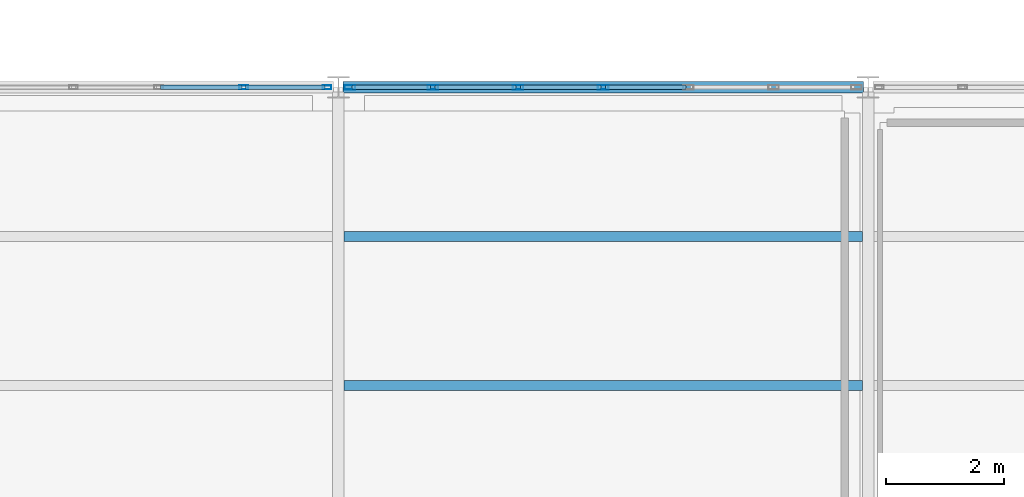
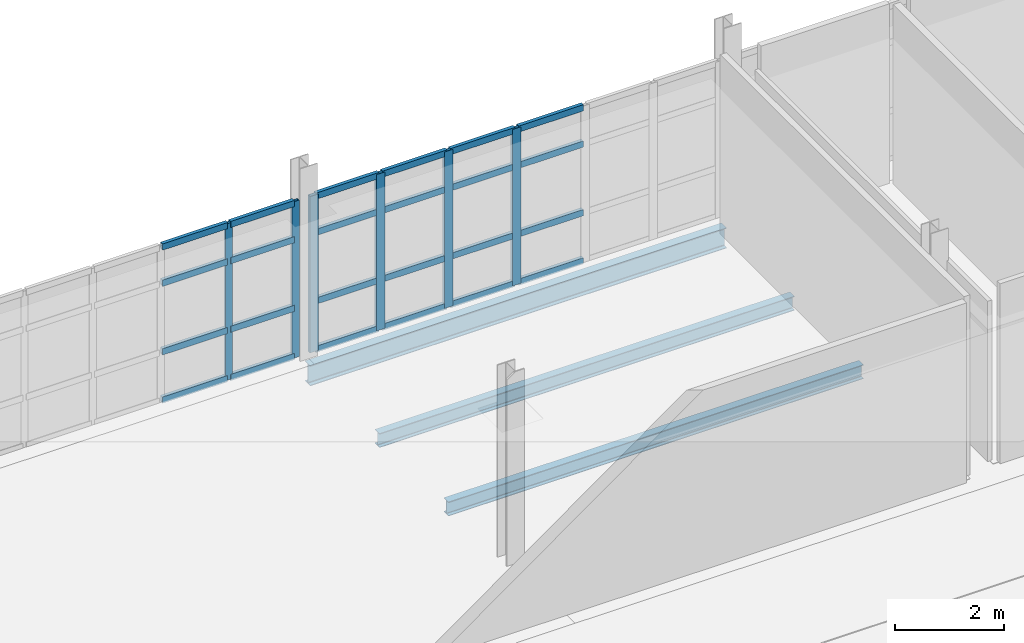
# One storey, part 56 of 174: 30 members, 3 beams, 2 elements without a shape of their own.
"""IFC4 building model written with IfcOpenShell, lengths in metres."""

from ifc_helpers import new_model, si_unit, direction, frame, origin, origin_2d, place, context, subcontext, project, spatial, hollow_rectangle, i_section, extrude, material, material_profile, profile_set, type_object, element, aggregate, save


model = new_model("IFC4")

# Units and contexts
model_context = context("Model", 3, precision=1e-05, world=origin(), true_north=direction((0.0, 1.0)))
body_context = subcontext(model_context, "Body", "Model", "MODEL_VIEW")
ifc_project = project(units=[si_unit("LENGTHUNIT", "METRE"), si_unit("AREAUNIT", "SQUARE_METRE"), si_unit("VOLUMEUNIT", "CUBIC_METRE"), si_unit("PLANEANGLEUNIT", "RADIAN"), si_unit("MASSUNIT", "GRAM", prefix="KILO")], contexts=[model_context])

# Site, building, storey
site_placement = place(None, origin())
site = spatial("IfcSite", under=ifc_project, at=site_placement, CompositionType="ELEMENT")
building_placement = place(site_placement, origin())
building = spatial("IfcBuilding", under=site, at=building_placement, Name="Caisbarro Railhouse Central Library", CompositionType="ELEMENT")
storey_placement = place(building_placement, frame((0.0, 0.0, 5.0400390625)))
storey = spatial("IfcBuildingStorey", under=building, at=storey_placement, Name="L01", CompositionType="ELEMENT", Elevation=5.0400390625)

# Beams
ifc_material_1 = material(Name="Steel ASTM A572 Grade 50", Category="steel")
ifc_material_profile_1 = material_profile(ifc_material_1, i_section(OverallWidth=0.1669921875, OverallDepth=0.31689453125, WebThickness=0.007568359375, FlangeThickness=0.01318359375, FilletRadius=0.011962890625, at=origin_2d()), Name="W310X52.0")
ifc_profile_set_1 = profile_set([ifc_material_profile_1], Name="Steel ASTM A572 Grade 50")
beam_type_1 = type_object("IfcBeamType", Name="BM-J02", PredefinedType="JOIST", material=ifc_profile_set_1)
for number, where, z_axis, x_axis, name in (
    (1, (90.096923828125, 25.333251953125, -0.3984375), (1.0, 0.0, 0.0), (0.0, 1.0, 0.0), "J02 beam L01 #780"),
    (2, (90.096923828125, 27.86669921875, -0.3984375), (1.0, 0.0, 0.0), (0.0, 1.0, 0.0), "J02 beam L01 #781"),
):
    element("IfcBeam", number, at=place(storey_placement, frame(where, z_axis=z_axis, x_axis=x_axis)), inside=storey, type_object=beam_type_1, Name=name, PredefinedType="JOIST", context=body_context, shape_type="SweptSolid", body=[
        extrude(i_section(OverallWidth=0.1669921875, OverallDepth=0.31689453125, WebThickness=0.007568359375, FlangeThickness=0.01318359375, FilletRadius=0.011962890625, at=origin_2d()), origin(), (0.0, 0.0, 1.0), 8.80615234375),
    ])
ifc_material_profile_2 = material_profile(ifc_material_1, i_section(OverallWidth=0.18994140625, OverallDepth=0.45703125, WebThickness=0.009033203125, FlangeThickness=0.014404296875, FilletRadius=0.01806640625, at=origin_2d()), Name="W460X74.0")
ifc_profile_set_2 = profile_set([ifc_material_profile_2], Name="Steel ASTM A572 Grade 50")
beam_type_2 = type_object("IfcBeamType", Name="BM-SP01", PredefinedType="SPANDREL", material=ifc_profile_set_2)
beam_placement = place(storey_placement, frame((90.080078125, 30.39990234375, -0.468505859375), z_axis=(1.0, 0.0, 0.0), x_axis=(0.0, 1.0, 0.0)))
element("IfcBeam", 3, at=beam_placement, inside=storey, type_object=beam_type_2, Name="SP01 beam L01 #720", PredefinedType="SPANDREL", context=body_context, shape_type="SweptSolid", body=[
    extrude(i_section(OverallWidth=0.18994140625, OverallDepth=0.45703125, WebThickness=0.009033203125, FlangeThickness=0.014404296875, FilletRadius=0.01806640625, at=origin_2d()), origin(), (0.0, 0.0, 1.0), 8.83984375),
])

# Curtain wall, members
ifc_material_2 = material(Name="Anodised architectural aluminium", Category="aluminium")
curtain_wall_type = type_object("IfcCurtainWallType", Name="CW-CW02", PredefinedType="NOTDEFINED", material=ifc_material_2)
curtain_wall_1_placement = place(storey_placement, origin())
curtain_wall_1 = element("IfcCurtainWall", 4, at=curtain_wall_1_placement, inside=storey, type_object=curtain_wall_type, Name="CW02 curtain wall L01 #56", PredefinedType="NOTDEFINED")
ifc_material_profile_3 = material_profile(ifc_material_2, hollow_rectangle(XDim=0.074951171875, YDim=0.179931640625, WallThickness=0.00439453125, at=origin_2d()), Name="ALU-MUL-75X180")
ifc_profile_set_3 = profile_set([ifc_material_profile_3], Name="Anodised architectural aluminium")
member_type_1 = type_object("IfcMemberType", Name="CWM-M01", PredefinedType="MULLION", material=ifc_profile_set_3)
member_1_placement = place(storey_placement, frame((90.197509765625, 30.39990234375, 0.0), z_axis=(0.0, 0.0, 1.0), x_axis=(0.0, 1.0, 0.0)))
member_1 = element("IfcMember", 5, at=member_1_placement, type_object=member_type_1, Name="CW02 mullion 1", PredefinedType="MULLION", context=body_context, shape_type="SweptSolid", body=[
    extrude(hollow_rectangle(XDim=0.074951171875, YDim=0.179931640625, WallThickness=0.00439453125, at=origin_2d()), origin(), (0.0, 0.0, 1.0), 3.510009765625),
])
member_2_placement = place(storey_placement, frame((91.606689453125, 30.39990234375, 0.0), z_axis=(0.0, 0.0, 1.0), x_axis=(0.0, 1.0, 0.0)))
member_2 = element("IfcMember", 6, at=member_2_placement, type_object=member_type_1, Name="CW02 mullion 2", PredefinedType="MULLION", context=body_context, shape_type="SweptSolid", body=[
    extrude(hollow_rectangle(XDim=0.074951171875, YDim=0.179931640625, WallThickness=0.00439453125, at=origin_2d()), origin(), (0.0, 0.0, 1.0), 3.510009765625),
])
member_3_placement = place(storey_placement, frame((93.05322265625, 30.39990234375, 0.0), z_axis=(0.0, 0.0, 1.0), x_axis=(0.0, 1.0, 0.0)))
member_3 = element("IfcMember", 7, at=member_3_placement, type_object=member_type_1, Name="CW02 mullion 3", PredefinedType="MULLION", context=body_context, shape_type="SweptSolid", body=[
    extrude(hollow_rectangle(XDim=0.074951171875, YDim=0.179931640625, WallThickness=0.00439453125, at=origin_2d()), origin(), (0.0, 0.0, 1.0), 3.510009765625),
])
member_4_placement = place(storey_placement, frame((94.5, 30.39990234375, 0.0), z_axis=(0.0, 0.0, 1.0), x_axis=(0.0, 1.0, 0.0)))
member_4 = element("IfcMember", 8, at=member_4_placement, type_object=member_type_1, Name="CW02 mullion 4", PredefinedType="MULLION", context=body_context, shape_type="SweptSolid", body=[
    extrude(hollow_rectangle(XDim=0.074951171875, YDim=0.179931640625, WallThickness=0.00439453125, at=origin_2d()), origin(), (0.0, 0.0, 1.0), 3.510009765625),
])

curtain_wall_2_placement = place(storey_placement, origin())
curtain_wall_2 = element("IfcCurtainWall", 9, at=curtain_wall_2_placement, inside=storey, type_object=curtain_wall_type, Name="CW02 curtain wall L01 #55", PredefinedType="NOTDEFINED")
ifc_material_profile_4 = material_profile(ifc_material_2, hollow_rectangle(XDim=0.06494140625, YDim=0.14990234375, WallThickness=0.00390625, at=origin_2d()), Name="ALU-MUL-65X150")
ifc_profile_set_4 = profile_set([ifc_material_profile_4], Name="Anodised architectural aluminium")
member_type_2 = type_object("IfcMemberType", Name="CWM-M02", PredefinedType="MULLION", material=ifc_profile_set_4)
member_5_placement = place(storey_placement, frame((88.393310546875, 30.39990234375, 0.0), z_axis=(0.0, 0.0, 1.0), x_axis=(0.0, 1.0, 0.0)))
member_5 = element("IfcMember", 10, at=member_5_placement, type_object=member_type_2, Name="CW02 mullion 6", PredefinedType="MULLION", context=body_context, shape_type="SweptSolid", body=[
    extrude(hollow_rectangle(XDim=0.06494140625, YDim=0.14990234375, WallThickness=0.00390625, at=origin_2d()), origin(), (0.0, 0.0, 1.0), 3.510009765625),
])
member_6_placement = place(storey_placement, frame((89.8076171875, 30.39990234375, 0.0), z_axis=(0.0, 0.0, 1.0), x_axis=(0.0, 1.0, 0.0)))
member_6 = element("IfcMember", 11, at=member_6_placement, type_object=member_type_2, Name="CW02 mullion 7", PredefinedType="MULLION", context=body_context, shape_type="SweptSolid", body=[
    extrude(hollow_rectangle(XDim=0.06494140625, YDim=0.14990234375, WallThickness=0.00390625, at=origin_2d()), origin(), (0.0, 0.0, 1.0), 3.510009765625),
])
ifc_material_profile_5 = material_profile(ifc_material_2, hollow_rectangle(XDim=0.074951171875, YDim=0.139892578125, WallThickness=0.00390625, at=origin_2d()), Name="ALU-TRN-75X140")
ifc_profile_set_5 = profile_set([ifc_material_profile_5], Name="Anodised architectural aluminium")
member_type_3 = type_object("IfcMemberType", Name="CWT-T01", PredefinedType="USERDEFINED", material=ifc_profile_set_5)
member_7_placement = place(storey_placement, frame((86.979248046875, 30.39990234375, 0.037353515625), z_axis=(1.0, 0.0, 0.0), x_axis=(0.0, 1.0, 0.0)))
member_7 = element("IfcMember", 12, at=member_7_placement, type_object=member_type_3, Name="CW02 transom 5.1", ObjectType="TRANSOM", PredefinedType="USERDEFINED", context=body_context, shape_type="SweptSolid", body=[
    extrude(hollow_rectangle(XDim=0.074951171875, YDim=0.139892578125, WallThickness=0.00390625, at=origin_2d()), origin(), (0.0, 0.0, 1.0), 1.381591796875),
])
member_8_placement = place(storey_placement, frame((86.979248046875, 30.39990234375, 1.119873046875), z_axis=(1.0, 0.0, 0.0), x_axis=(0.0, 1.0, 0.0)))
member_8 = element("IfcMember", 13, at=member_8_placement, type_object=member_type_3, Name="CW02 transom 5.2", ObjectType="TRANSOM", PredefinedType="USERDEFINED", context=body_context, shape_type="SweptSolid", body=[
    extrude(hollow_rectangle(XDim=0.074951171875, YDim=0.139892578125, WallThickness=0.00390625, at=origin_2d()), origin(), (0.0, 0.0, 1.0), 1.381591796875),
])
member_9_placement = place(storey_placement, frame((86.979248046875, 30.39990234375, 2.659912109375), z_axis=(1.0, 0.0, 0.0), x_axis=(0.0, 1.0, 0.0)))
member_9 = element("IfcMember", 14, at=member_9_placement, type_object=member_type_3, Name="CW02 transom 5.3", ObjectType="TRANSOM", PredefinedType="USERDEFINED", context=body_context, shape_type="SweptSolid", body=[
    extrude(hollow_rectangle(XDim=0.074951171875, YDim=0.139892578125, WallThickness=0.00390625, at=origin_2d()), origin(), (0.0, 0.0, 1.0), 1.381591796875),
])
member_10_placement = place(storey_placement, frame((86.979248046875, 30.39990234375, 3.472412109375), z_axis=(1.0, 0.0, 0.0), x_axis=(0.0, 1.0, 0.0)))
member_10 = element("IfcMember", 15, at=member_10_placement, type_object=member_type_3, Name="CW02 transom 5.4", ObjectType="TRANSOM", PredefinedType="USERDEFINED", context=body_context, shape_type="SweptSolid", body=[
    extrude(hollow_rectangle(XDim=0.074951171875, YDim=0.139892578125, WallThickness=0.00390625, at=origin_2d()), origin(), (0.0, 0.0, 1.0), 1.381591796875),
])
member_11_placement = place(storey_placement, frame((88.42578125, 30.39990234375, 0.037353515625), z_axis=(1.0, 0.0, 0.0), x_axis=(0.0, 1.0, 0.0)))
member_11 = element("IfcMember", 16, at=member_11_placement, type_object=member_type_3, Name="CW02 transom 6.1", ObjectType="TRANSOM", PredefinedType="USERDEFINED", context=body_context, shape_type="SweptSolid", body=[
    extrude(hollow_rectangle(XDim=0.074951171875, YDim=0.139892578125, WallThickness=0.00390625, at=origin_2d()), origin(), (0.0, 0.0, 1.0), 1.34912109375),
])
member_12_placement = place(storey_placement, frame((88.42578125, 30.39990234375, 1.119873046875), z_axis=(1.0, 0.0, 0.0), x_axis=(0.0, 1.0, 0.0)))
member_12 = element("IfcMember", 17, at=member_12_placement, type_object=member_type_3, Name="CW02 transom 6.2", ObjectType="TRANSOM", PredefinedType="USERDEFINED", context=body_context, shape_type="SweptSolid", body=[
    extrude(hollow_rectangle(XDim=0.074951171875, YDim=0.139892578125, WallThickness=0.00390625, at=origin_2d()), origin(), (0.0, 0.0, 1.0), 1.34912109375),
])
member_13_placement = place(storey_placement, frame((88.42578125, 30.39990234375, 2.659912109375), z_axis=(1.0, 0.0, 0.0), x_axis=(0.0, 1.0, 0.0)))
member_13 = element("IfcMember", 18, at=member_13_placement, type_object=member_type_3, Name="CW02 transom 6.3", ObjectType="TRANSOM", PredefinedType="USERDEFINED", context=body_context, shape_type="SweptSolid", body=[
    extrude(hollow_rectangle(XDim=0.074951171875, YDim=0.139892578125, WallThickness=0.00390625, at=origin_2d()), origin(), (0.0, 0.0, 1.0), 1.34912109375),
])
member_14_placement = place(storey_placement, frame((88.42578125, 30.39990234375, 3.472412109375), z_axis=(1.0, 0.0, 0.0), x_axis=(0.0, 1.0, 0.0)))
member_14 = element("IfcMember", 19, at=member_14_placement, type_object=member_type_3, Name="CW02 transom 6.4", ObjectType="TRANSOM", PredefinedType="USERDEFINED", context=body_context, shape_type="SweptSolid", body=[
    extrude(hollow_rectangle(XDim=0.074951171875, YDim=0.139892578125, WallThickness=0.00390625, at=origin_2d()), origin(), (0.0, 0.0, 1.0), 1.34912109375),
])
aggregate(curtain_wall_2, [member_5, member_6, member_7, member_8, member_9, member_10, member_11, member_12, member_13, member_14])

# Member
member_15_placement = place(storey_placement, frame((90.235107421875, 30.39990234375, 0.037353515625), z_axis=(1.0, 0.0, 0.0), x_axis=(0.0, 1.0, 0.0)))
member_15 = element("IfcMember", 20, at=member_15_placement, type_object=member_type_3, Name="CW02 transom 1.1", ObjectType="TRANSOM", PredefinedType="USERDEFINED", context=body_context, shape_type="SweptSolid", body=[
    extrude(hollow_rectangle(XDim=0.074951171875, YDim=0.139892578125, WallThickness=0.00390625, at=origin_2d()), origin(), (0.0, 0.0, 1.0), 1.333984375),
])

member_16_placement = place(storey_placement, frame((90.235107421875, 30.39990234375, 1.119873046875), z_axis=(1.0, 0.0, 0.0), x_axis=(0.0, 1.0, 0.0)))
member_16 = element("IfcMember", 21, at=member_16_placement, type_object=member_type_3, Name="CW02 transom 1.2", ObjectType="TRANSOM", PredefinedType="USERDEFINED", context=body_context, shape_type="SweptSolid", body=[
    extrude(hollow_rectangle(XDim=0.074951171875, YDim=0.139892578125, WallThickness=0.00390625, at=origin_2d()), origin(), (0.0, 0.0, 1.0), 1.333984375),
])

member_17_placement = place(storey_placement, frame((90.235107421875, 30.39990234375, 2.659912109375), z_axis=(1.0, 0.0, 0.0), x_axis=(0.0, 1.0, 0.0)))
member_17 = element("IfcMember", 22, at=member_17_placement, type_object=member_type_3, Name="CW02 transom 1.3", ObjectType="TRANSOM", PredefinedType="USERDEFINED", context=body_context, shape_type="SweptSolid", body=[
    extrude(hollow_rectangle(XDim=0.074951171875, YDim=0.139892578125, WallThickness=0.00390625, at=origin_2d()), origin(), (0.0, 0.0, 1.0), 1.333984375),
])

member_18_placement = place(storey_placement, frame((90.235107421875, 30.39990234375, 3.472412109375), z_axis=(1.0, 0.0, 0.0), x_axis=(0.0, 1.0, 0.0)))
member_18 = element("IfcMember", 23, at=member_18_placement, type_object=member_type_3, Name="CW02 transom 1.4", ObjectType="TRANSOM", PredefinedType="USERDEFINED", context=body_context, shape_type="SweptSolid", body=[
    extrude(hollow_rectangle(XDim=0.074951171875, YDim=0.139892578125, WallThickness=0.00390625, at=origin_2d()), origin(), (0.0, 0.0, 1.0), 1.333984375),
])

member_19_placement = place(storey_placement, frame((91.644287109375, 30.39990234375, 0.037353515625), z_axis=(1.0, 0.0, 0.0), x_axis=(0.0, 1.0, 0.0)))
member_19 = element("IfcMember", 24, at=member_19_placement, type_object=member_type_3, Name="CW02 transom 2.1", ObjectType="TRANSOM", PredefinedType="USERDEFINED", context=body_context, shape_type="SweptSolid", body=[
    extrude(hollow_rectangle(XDim=0.074951171875, YDim=0.139892578125, WallThickness=0.00390625, at=origin_2d()), origin(), (0.0, 0.0, 1.0), 1.37158203125),
])

member_20_placement = place(storey_placement, frame((91.644287109375, 30.39990234375, 1.119873046875), z_axis=(1.0, 0.0, 0.0), x_axis=(0.0, 1.0, 0.0)))
member_20 = element("IfcMember", 25, at=member_20_placement, type_object=member_type_3, Name="CW02 transom 2.2", ObjectType="TRANSOM", PredefinedType="USERDEFINED", context=body_context, shape_type="SweptSolid", body=[
    extrude(hollow_rectangle(XDim=0.074951171875, YDim=0.139892578125, WallThickness=0.00390625, at=origin_2d()), origin(), (0.0, 0.0, 1.0), 1.37158203125),
])

member_21_placement = place(storey_placement, frame((91.644287109375, 30.39990234375, 2.659912109375), z_axis=(1.0, 0.0, 0.0), x_axis=(0.0, 1.0, 0.0)))
member_21 = element("IfcMember", 26, at=member_21_placement, type_object=member_type_3, Name="CW02 transom 2.3", ObjectType="TRANSOM", PredefinedType="USERDEFINED", context=body_context, shape_type="SweptSolid", body=[
    extrude(hollow_rectangle(XDim=0.074951171875, YDim=0.139892578125, WallThickness=0.00390625, at=origin_2d()), origin(), (0.0, 0.0, 1.0), 1.37158203125),
])

member_22_placement = place(storey_placement, frame((91.644287109375, 30.39990234375, 3.472412109375), z_axis=(1.0, 0.0, 0.0), x_axis=(0.0, 1.0, 0.0)))
member_22 = element("IfcMember", 27, at=member_22_placement, type_object=member_type_3, Name="CW02 transom 2.4", ObjectType="TRANSOM", PredefinedType="USERDEFINED", context=body_context, shape_type="SweptSolid", body=[
    extrude(hollow_rectangle(XDim=0.074951171875, YDim=0.139892578125, WallThickness=0.00390625, at=origin_2d()), origin(), (0.0, 0.0, 1.0), 1.37158203125),
])

member_23_placement = place(storey_placement, frame((93.0908203125, 30.39990234375, 0.037353515625), z_axis=(1.0, 0.0, 0.0), x_axis=(0.0, 1.0, 0.0)))
member_23 = element("IfcMember", 28, at=member_23_placement, type_object=member_type_3, Name="CW02 transom 3.1", ObjectType="TRANSOM", PredefinedType="USERDEFINED", context=body_context, shape_type="SweptSolid", body=[
    extrude(hollow_rectangle(XDim=0.074951171875, YDim=0.139892578125, WallThickness=0.00390625, at=origin_2d()), origin(), (0.0, 0.0, 1.0), 1.37158203125),
])

member_24_placement = place(storey_placement, frame((93.0908203125, 30.39990234375, 1.119873046875), z_axis=(1.0, 0.0, 0.0), x_axis=(0.0, 1.0, 0.0)))
member_24 = element("IfcMember", 29, at=member_24_placement, type_object=member_type_3, Name="CW02 transom 3.2", ObjectType="TRANSOM", PredefinedType="USERDEFINED", context=body_context, shape_type="SweptSolid", body=[
    extrude(hollow_rectangle(XDim=0.074951171875, YDim=0.139892578125, WallThickness=0.00390625, at=origin_2d()), origin(), (0.0, 0.0, 1.0), 1.37158203125),
])

member_25_placement = place(storey_placement, frame((93.0908203125, 30.39990234375, 2.659912109375), z_axis=(1.0, 0.0, 0.0), x_axis=(0.0, 1.0, 0.0)))
member_25 = element("IfcMember", 30, at=member_25_placement, type_object=member_type_3, Name="CW02 transom 3.3", ObjectType="TRANSOM", PredefinedType="USERDEFINED", context=body_context, shape_type="SweptSolid", body=[
    extrude(hollow_rectangle(XDim=0.074951171875, YDim=0.139892578125, WallThickness=0.00390625, at=origin_2d()), origin(), (0.0, 0.0, 1.0), 1.37158203125),
])

member_26_placement = place(storey_placement, frame((93.0908203125, 30.39990234375, 3.472412109375), z_axis=(1.0, 0.0, 0.0), x_axis=(0.0, 1.0, 0.0)))
member_26 = element("IfcMember", 31, at=member_26_placement, type_object=member_type_3, Name="CW02 transom 3.4", ObjectType="TRANSOM", PredefinedType="USERDEFINED", context=body_context, shape_type="SweptSolid", body=[
    extrude(hollow_rectangle(XDim=0.074951171875, YDim=0.139892578125, WallThickness=0.00390625, at=origin_2d()), origin(), (0.0, 0.0, 1.0), 1.37158203125),
])

member_27_placement = place(storey_placement, frame((94.53759765625, 30.39990234375, 0.037353515625), z_axis=(1.0, 0.0, 0.0), x_axis=(0.0, 1.0, 0.0)))
member_27 = element("IfcMember", 32, at=member_27_placement, type_object=member_type_3, Name="CW02 transom 4.1", ObjectType="TRANSOM", PredefinedType="USERDEFINED", context=body_context, shape_type="SweptSolid", body=[
    extrude(hollow_rectangle(XDim=0.074951171875, YDim=0.139892578125, WallThickness=0.00390625, at=origin_2d()), origin(), (0.0, 0.0, 1.0), 1.37158203125),
])

member_28_placement = place(storey_placement, frame((94.53759765625, 30.39990234375, 1.119873046875), z_axis=(1.0, 0.0, 0.0), x_axis=(0.0, 1.0, 0.0)))
member_28 = element("IfcMember", 33, at=member_28_placement, type_object=member_type_3, Name="CW02 transom 4.2", ObjectType="TRANSOM", PredefinedType="USERDEFINED", context=body_context, shape_type="SweptSolid", body=[
    extrude(hollow_rectangle(XDim=0.074951171875, YDim=0.139892578125, WallThickness=0.00390625, at=origin_2d()), origin(), (0.0, 0.0, 1.0), 1.37158203125),
])

member_29_placement = place(storey_placement, frame((94.53759765625, 30.39990234375, 2.659912109375), z_axis=(1.0, 0.0, 0.0), x_axis=(0.0, 1.0, 0.0)))
member_29 = element("IfcMember", 34, at=member_29_placement, type_object=member_type_3, Name="CW02 transom 4.3", ObjectType="TRANSOM", PredefinedType="USERDEFINED", context=body_context, shape_type="SweptSolid", body=[
    extrude(hollow_rectangle(XDim=0.074951171875, YDim=0.139892578125, WallThickness=0.00390625, at=origin_2d()), origin(), (0.0, 0.0, 1.0), 1.37158203125),
])

member_30_placement = place(storey_placement, frame((94.53759765625, 30.39990234375, 3.472412109375), z_axis=(1.0, 0.0, 0.0), x_axis=(0.0, 1.0, 0.0)))
member_30 = element("IfcMember", 35, at=member_30_placement, type_object=member_type_3, Name="CW02 transom 4.4", ObjectType="TRANSOM", PredefinedType="USERDEFINED", context=body_context, shape_type="SweptSolid", body=[
    extrude(hollow_rectangle(XDim=0.074951171875, YDim=0.139892578125, WallThickness=0.00390625, at=origin_2d()), origin(), (0.0, 0.0, 1.0), 1.37158203125),
])

aggregate(curtain_wall_1, [member_1, member_2, member_3, member_4, member_15, member_16, member_17, member_18, member_19, member_20, member_21, member_22, member_23, member_24, member_25, member_26, member_27, member_28, member_29, member_30])

save(model, "model.ifc")
